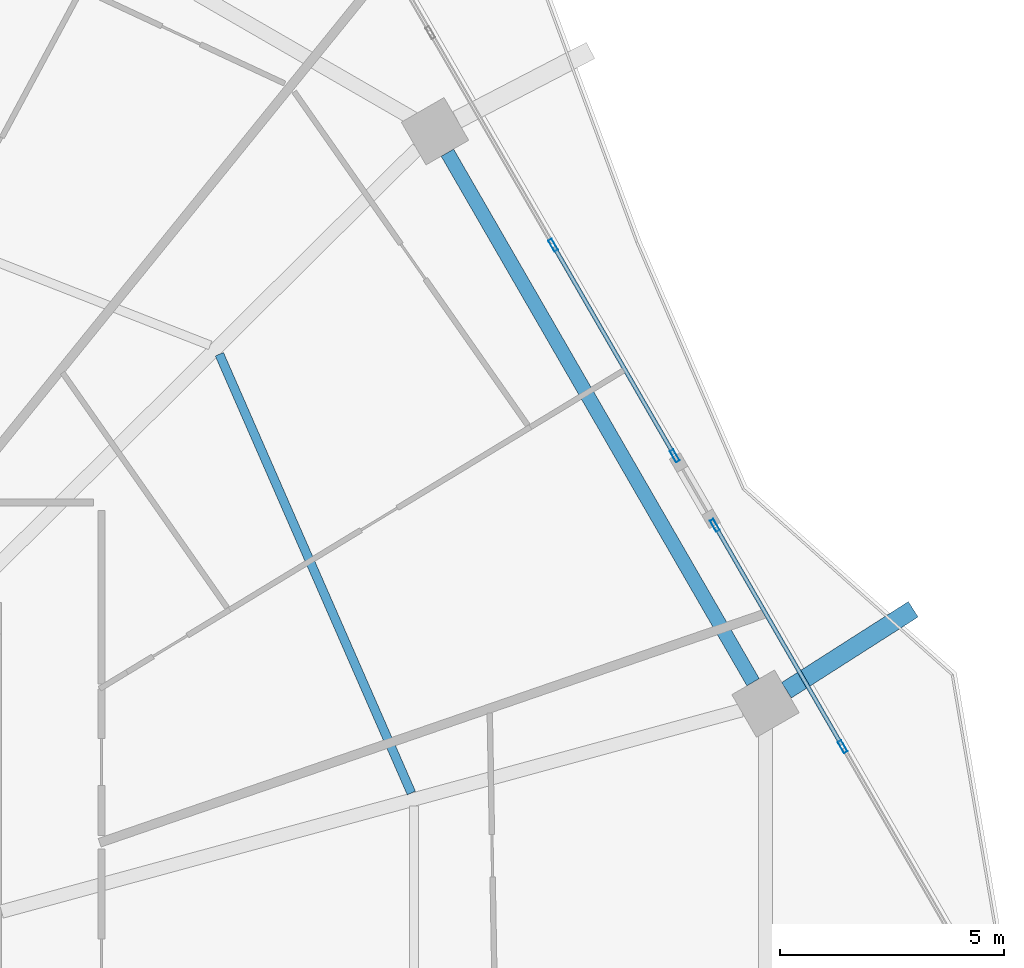
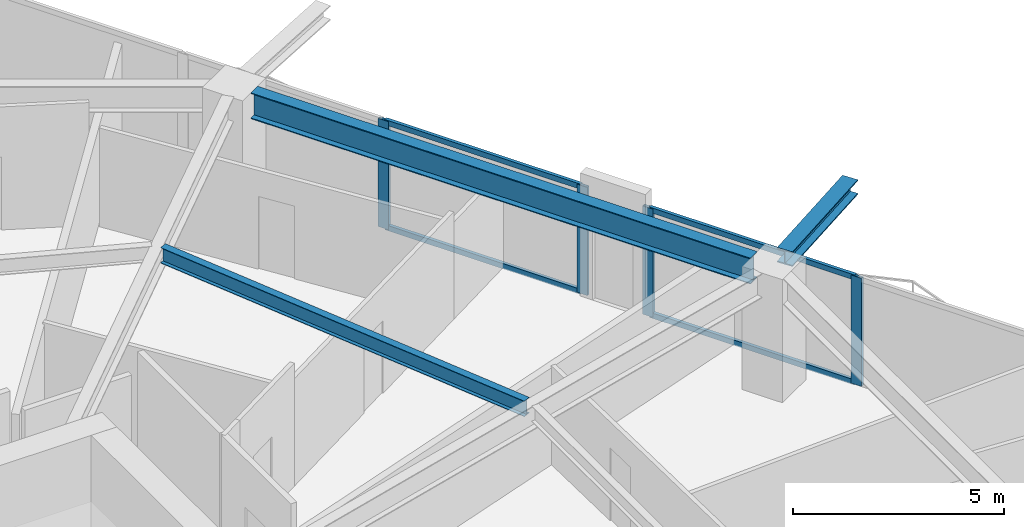
# One storey, part 18 of 32: 8 members, 3 beams, 2 elements without a shape of their own.
"""IFC4 building model written with IfcOpenShell, lengths in metres."""

from ifc_helpers import new_model, si_unit, direction, frame, origin, origin_2d, place, context, subcontext, project, spatial, hollow_rectangle, i_section, extrude, material, material_profile, profile_set, type_object, element, aggregate, save


model = new_model("IFC4")

# Units and contexts
model_context = context("Model", 3, precision=1e-05, world=origin(), true_north=direction((0.0, 1.0)))
body_context = subcontext(model_context, "Body", "Model", "MODEL_VIEW")
ifc_project = project(units=[si_unit("LENGTHUNIT", "METRE"), si_unit("AREAUNIT", "SQUARE_METRE"), si_unit("VOLUMEUNIT", "CUBIC_METRE"), si_unit("PLANEANGLEUNIT", "RADIAN"), si_unit("MASSUNIT", "GRAM", prefix="KILO")], contexts=[model_context])

# Site, building, storey
site_placement = place(None, origin())
site = spatial("IfcSite", under=ifc_project, at=site_placement, CompositionType="ELEMENT")
building_placement = place(site_placement, origin())
building = spatial("IfcBuilding", under=site, at=building_placement, Name="Zuhravey Tower", CompositionType="ELEMENT")
storey_placement = place(building_placement, frame((0.0, 0.0, 111.39990234375)))
storey = spatial("IfcBuildingStorey", under=building, at=storey_placement, Name="L27", CompositionType="ELEMENT", Elevation=111.39990234375)

# Curtain wall, members
ifc_material_1 = material(Name="Thermally broken anodised aluminium", Category="aluminium")
curtain_wall_type = type_object("IfcCurtainWallType", Name="Zone 1-2 Residential Curtain Wall CW3", PredefinedType="NOTDEFINED", material=ifc_material_1)
curtain_wall_1_placement = place(storey_placement, origin())
curtain_wall_1 = element("IfcCurtainWall", 1, at=curtain_wall_1_placement, inside=storey, type_object=curtain_wall_type, Name="L27 CW3 CW-L27-F1-1", PredefinedType="NOTDEFINED")
ifc_material_2 = material(Name="Anodised aluminium", Category="aluminium")
ifc_material_profile_1 = material_profile(ifc_material_2, hollow_rectangle(XDim=0.090087890625, YDim=0.284912109375, WallThickness=0.0048828125, at=origin_2d()), Name="ALU-RHS-90x285x5")
ifc_profile_set_1 = profile_set([ifc_material_profile_1], Name="Anodised aluminium")
member_type_1 = type_object("IfcMemberType", Name="Curtain-Wall Mullion 90x180", PredefinedType="MULLION", material=ifc_profile_set_1)
member_1_placement = place(storey_placement, frame((59.151611328125, 49.817138671875, 0.0), z_axis=(0.0, 0.0, 1.0), x_axis=(0.86602532644, 0.500000133964, 0.0)))
member_1 = element("IfcMember", 2, at=member_1_placement, type_object=member_type_1, Name="CW3 mullion 3", PredefinedType="MULLION", context=body_context, shape_type="SweptSolid", body=[
    extrude(hollow_rectangle(XDim=0.090087890625, YDim=0.284912109375, WallThickness=0.0048828125, at=origin_2d()), origin(), (0.0, 0.0, 1.0), 3.1220703125),
])
member_2_placement = place(storey_placement, frame((61.865478515625, 45.116455078125, 0.0), z_axis=(0.0, 0.0, 1.0), x_axis=(0.86602532644, 0.500000133964, 0.0)))
member_2 = element("IfcMember", 3, at=member_2_placement, type_object=member_type_1, Name="CW3 mullion 4", PredefinedType="MULLION", context=body_context, shape_type="SweptSolid", body=[
    extrude(hollow_rectangle(XDim=0.090087890625, YDim=0.284912109375, WallThickness=0.0048828125, at=origin_2d()), origin(), (0.0, 0.0, 1.0), 3.1220703125),
])

curtain_wall_2_placement = place(storey_placement, origin())
curtain_wall_2 = element("IfcCurtainWall", 4, at=curtain_wall_2_placement, inside=storey, type_object=curtain_wall_type, Name="L27 CW3 CW-L27-F1-2", PredefinedType="NOTDEFINED")
member_3_placement = place(storey_placement, frame((62.760498046875, 43.56640625, 0.0), z_axis=(0.0, 0.0, 1.0), x_axis=(0.866024583714, 0.500001420401, 0.0)))
member_3 = element("IfcMember", 5, at=member_3_placement, type_object=member_type_1, Name="CW3 mullion 1", PredefinedType="MULLION", context=body_context, shape_type="SweptSolid", body=[
    extrude(hollow_rectangle(XDim=0.090087890625, YDim=0.284912109375, WallThickness=0.0048828125, at=origin_2d()), origin(), (0.0, 0.0, 1.0), 3.1220703125),
])
member_4_placement = place(storey_placement, frame((65.608154296875, 38.6337890625, 0.0), z_axis=(0.0, 0.0, 1.0), x_axis=(0.866024583714, 0.500001420401, 0.0)))
member_4 = element("IfcMember", 6, at=member_4_placement, type_object=member_type_1, Name="CW3 mullion 2", PredefinedType="MULLION", context=body_context, shape_type="SweptSolid", body=[
    extrude(hollow_rectangle(XDim=0.090087890625, YDim=0.284912109375, WallThickness=0.0048828125, at=origin_2d()), origin(), (0.0, 0.0, 1.0), 3.1220703125),
])

# Member
ifc_material_profile_2 = material_profile(ifc_material_2, hollow_rectangle(XDim=0.090087890625, YDim=0.14990234375, WallThickness=0.0048828125, at=origin_2d()), Name="ALU-RHS-90x150x5")
ifc_profile_set_2 = profile_set([ifc_material_profile_2], Name="Anodised aluminium")
member_type_2 = type_object("IfcMemberType", Name="Curtain-Wall Transom 90x150", PredefinedType="USERDEFINED", material=ifc_profile_set_2)
member_5_placement = place(storey_placement, frame((59.174072265625, 49.778076171875, 0.045166015625), z_axis=(0.500015436839, -0.866016491138, 0.0), x_axis=(0.866016491138, 0.500015436839, 0.0)))
member_5 = element("IfcMember", 7, at=member_5_placement, type_object=member_type_2, Name="CW3 transom 3.1", ObjectType="TRANSOM", PredefinedType="USERDEFINED", context=body_context, shape_type="SweptSolid", body=[
    extrude(hollow_rectangle(XDim=0.090087890625, YDim=0.14990234375, WallThickness=0.0048828125, at=origin_2d()), origin(), (0.0, 0.0, 1.0), 5.337646484375),
])

member_6_placement = place(storey_placement, frame((59.174072265625, 49.778076171875, 3.0771484375), z_axis=(0.500015436839, -0.866016491138, 0.0), x_axis=(0.866016491138, 0.500015436839, 0.0)))
member_6 = element("IfcMember", 8, at=member_6_placement, type_object=member_type_2, Name="CW3 transom 3.2", ObjectType="TRANSOM", PredefinedType="USERDEFINED", context=body_context, shape_type="SweptSolid", body=[
    extrude(hollow_rectangle(XDim=0.090087890625, YDim=0.14990234375, WallThickness=0.0048828125, at=origin_2d()), origin(), (0.0, 0.0, 1.0), 5.337646484375),
])

aggregate(curtain_wall_1, [member_1, member_2, member_5, member_6])

member_7_placement = place(storey_placement, frame((62.782958984375, 43.52734375, 0.045166015625), z_axis=(0.499998930123, -0.866026021477, 0.0), x_axis=(0.866026021477, 0.499998930123, 0.0)))
member_7 = element("IfcMember", 9, at=member_7_placement, type_object=member_type_2, Name="CW3 transom 1.1", ObjectType="TRANSOM", PredefinedType="USERDEFINED", context=body_context, shape_type="SweptSolid", body=[
    extrude(hollow_rectangle(XDim=0.090087890625, YDim=0.14990234375, WallThickness=0.0048828125, at=origin_2d()), origin(), (0.0, 0.0, 1.0), 5.60546875),
])

member_8_placement = place(storey_placement, frame((62.782958984375, 43.52734375, 3.0771484375), z_axis=(0.499998930123, -0.866026021477, 0.0), x_axis=(0.866026021477, 0.499998930123, 0.0)))
member_8 = element("IfcMember", 10, at=member_8_placement, type_object=member_type_2, Name="CW3 transom 1.2", ObjectType="TRANSOM", PredefinedType="USERDEFINED", context=body_context, shape_type="SweptSolid", body=[
    extrude(hollow_rectangle(XDim=0.090087890625, YDim=0.14990234375, WallThickness=0.0048828125, at=origin_2d()), origin(), (0.0, 0.0, 1.0), 5.60546875),
])

aggregate(curtain_wall_2, [member_3, member_4, member_7, member_8])

# Beams
ifc_material_3 = material(Name="Steel SM460", Category="steel")
ifc_material_profile_3 = material_profile(ifc_material_3, i_section(OverallWidth=0.406982421875, OverallDepth=0.427978515625, WebThickness=0.02001953125, FlangeThickness=0.034912109375, at=origin_2d()), Name="H-428x407x20x35")
ifc_profile_set_3 = profile_set([ifc_material_profile_3], Name="Steel SM460")
beam_type_1 = type_object("IfcBeamType", Name="Exoskeleton Node Tie Beam H428x407", PredefinedType="BEAM", material=ifc_profile_set_3)
beam_1_placement = place(storey_placement, frame((64.3564453125, 39.89013671875, 3.336181640625), z_axis=(0.842698094374, 0.538386405604, 0.0), x_axis=(-0.538386405604, 0.842698094374, 0.0)))
element("IfcBeam", 11, at=beam_1_placement, inside=storey, type_object=beam_type_1, Name="L27 Exoskeleton Node Tie NT1-01", PredefinedType="BEAM", context=body_context, shape_type="SweptSolid", body=[
    extrude(i_section(OverallWidth=0.406982421875, OverallDepth=0.427978515625, WebThickness=0.02001953125, FlangeThickness=0.034912109375, at=origin_2d()), origin(), (0.0, 0.0, 1.0), 3.354248046875),
])
ifc_material_4 = material(Name="Steel SM355", Category="steel")
ifc_material_profile_4 = material_profile(ifc_material_4, i_section(OverallWidth=0.320068359375, OverallDepth=0.75, WebThickness=0.013916015625, FlangeThickness=0.02490234375, at=origin_2d()), Name="H-750x320x14x25")
ifc_profile_set_4 = profile_set([ifc_material_profile_4], Name="Steel SM355")
beam_type_2 = type_object("IfcBeamType", Name="Perimeter Ring Beam H750x320", PredefinedType="BEAM", material=ifc_profile_set_4)
beam_2_placement = place(storey_placement, frame((63.612548828125, 40.070556640625, 3.175048828125), z_axis=(-0.500008177929, 0.866020682204, 0.0), x_axis=(-0.866020682204, -0.500008177929, 0.0)))
element("IfcBeam", 12, at=beam_2_placement, inside=storey, type_object=beam_type_2, Name="L27 PB1 BM-L27-PB-01", PredefinedType="BEAM", context=body_context, shape_type="SweptSolid", body=[
    extrude(i_section(OverallWidth=0.320068359375, OverallDepth=0.75, WebThickness=0.013916015625, FlangeThickness=0.02490234375, at=origin_2d()), origin(), (0.0, 0.0, 1.0), 13.634033203125),
])
ifc_material_profile_5 = material_profile(ifc_material_4, i_section(OverallWidth=0.199951171875, OverallDepth=0.449951171875, WebThickness=0.009033203125, FlangeThickness=0.013916015625, at=origin_2d()), Name="H-450x200x9x14")
ifc_profile_set_5 = profile_set([ifc_material_profile_5], Name="Steel SM355")
beam_type_3 = type_object("IfcBeamType", Name="Secondary Floor Joist H450x200", PredefinedType="JOIST", material=ifc_profile_set_5)
beam_3_placement = place(storey_placement, frame((55.99072265625, 37.599609375, 3.3251953125), z_axis=(-0.400786454617, 0.916171500209, 0.0), x_axis=(-0.916171500209, -0.400786454617, 0.0)))
element("IfcBeam", 13, at=beam_3_placement, inside=storey, type_object=beam_type_3, Name="L27 SJ1 BM-L27-SJ-01-1", PredefinedType="JOIST", context=body_context, shape_type="SweptSolid", body=[
    extrude(i_section(OverallWidth=0.199951171875, OverallDepth=0.449951171875, WebThickness=0.009033203125, FlangeThickness=0.013916015625, at=origin_2d()), origin(), (0.0, 0.0, 1.0), 10.6796875),
])

save(model, "model.ifc")
